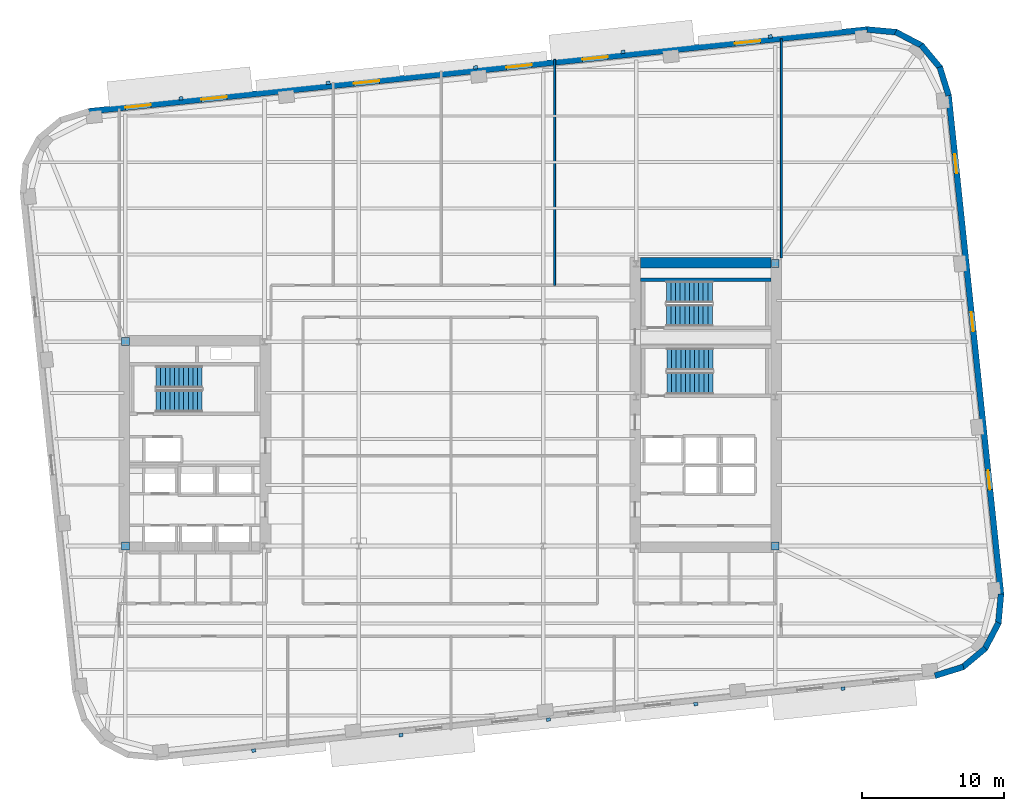
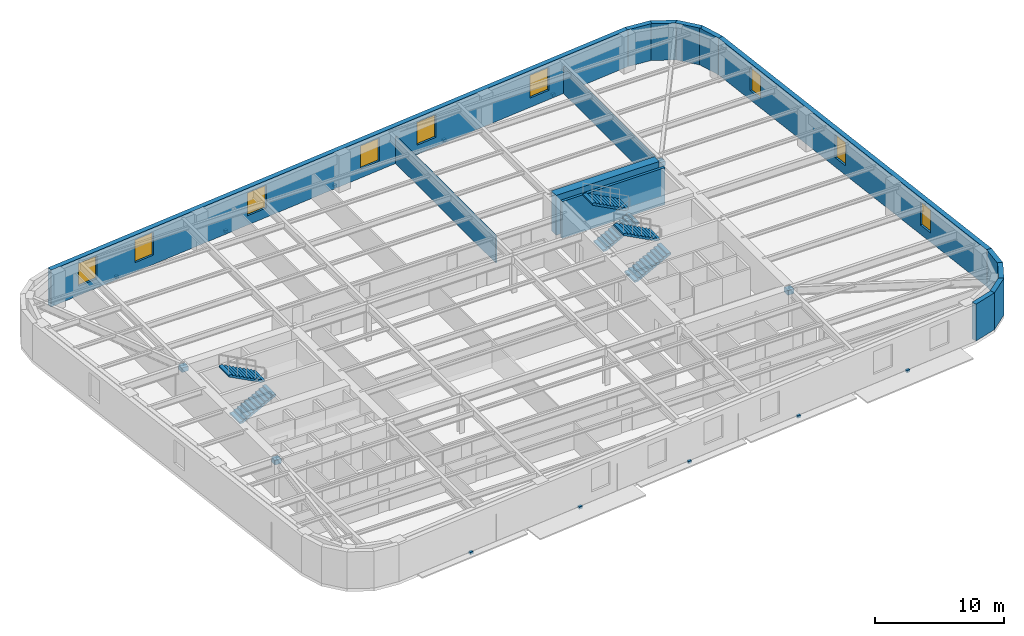
# One storey, part 7 of 11: 14 discrete accessories, 14 walls, 9 windows, 6 stair flights, 9 openings, 3 elements without a shape of their own.
"""IFC4 building model written with IfcOpenShell, lengths in metres."""

import ifcopenshell
import ifcopenshell.guid

model = None  # the IFC model being written
_history = None  # IfcOwnerHistory: only IFC2X3 demands one
_inside = {}  # id of a spatial element -> (the spatial element, [elements in it])
_under = {}  # id of a project, library or spatial element -> (it, [spatial elements below it])
_declared = {}  # id of a project -> (the project, [libraries it declares])
_typed = {}  # id of a type object -> (the type object, [elements of that type])
_made_of = {}  # id of a material, layer set ... -> (it, [elements and type objects made of it])


def new_model(schema):
    """Start an empty IFC model of exactly this schema.

    Asked for "IFC4X3", IfcOpenShell would pick the latest addendum, in which some entities
    have other attributes; the version numbers below select the first issue.
    IFC2X3 requires an IfcOwnerHistory on every rooted entity: one is made here for all.
    """
    global model, _history
    if schema == "IFC4X3":
        model = ifcopenshell.file(schema_version=(4, 3, 0, 0))
    else:
        model = ifcopenshell.file(schema=schema)
    _inside.clear()
    _under.clear()
    _declared.clear()
    _typed.clear()
    _made_of.clear()
    _history = None
    if model.schema == "IFC2X3":
        org = make("IfcOrganization", Name="unknown")
        user = make(
            "IfcPersonAndOrganization",
            ThePerson=make("IfcPerson", FamilyName="unknown"),
            TheOrganization=org,
        )
        app = make(
            "IfcApplication",
            ApplicationDeveloper=org,
            Version="unknown",
            ApplicationFullName="unknown",
            ApplicationIdentifier="unknown",
        )
        _history = make(
            "IfcOwnerHistory",
            OwningUser=user,
            OwningApplication=app,
            ChangeAction="ADDED",
            CreationDate=0,
        )
    return model


def make(cls, **values):
    """One entity of the class cls with the attributes given. An attribute that is None is left unset."""
    return model.create_entity(
        cls, **{name: value for name, value in values.items() if value is not None}
    )


def rooted(cls, **values):
    """An entity with a GlobalId (a new one), such as an element, a storey or a relation."""
    return make(cls, GlobalId=ifcopenshell.guid.new(), OwnerHistory=_history, **values)


def si_unit(unit_type, name, prefix=None):
    """IfcSIUnit, for example si_unit("LENGTHUNIT", "METRE", prefix="MILLI")."""
    return make("IfcSIUnit", UnitType=unit_type, Prefix=prefix, Name=name)


def assignment(units):
    """IfcUnitAssignment: the units of a project."""
    return None if units is None else make("IfcUnitAssignment", Units=units)


def point(xyz):
    """IfcCartesianPoint."""
    return None if xyz is None else make("IfcCartesianPoint", Coordinates=xyz)


def direction(xyz):
    """IfcDirection."""
    return None if xyz is None else make("IfcDirection", DirectionRatios=xyz)


def frame(location, z_axis=None, x_axis=None):
    """IfcAxis2Placement3D, a coordinate frame: its origin and axes. An axis left out is left unset."""
    return make(
        "IfcAxis2Placement3D",
        Location=point(location),
        Axis=direction(z_axis),
        RefDirection=direction(x_axis),
    )


def frame_2d(location, x_axis=None):
    """IfcAxis2Placement2D, a coordinate frame in the plane: its origin and x axis."""
    return make(
        "IfcAxis2Placement2D", Location=point(location), RefDirection=direction(x_axis)
    )


def origin():
    """The frame at (0, 0, 0) with its axes left unset."""
    return frame((0.0, 0.0, 0.0))


def origin_2d():
    """The frame at (0, 0) in the plane with its x axis left unset."""
    return frame_2d((0.0, 0.0))


def place(relative_to, where):
    """IfcLocalPlacement: puts the frame where relative to a parent placement (None: the world)."""
    return make(
        "IfcLocalPlacement", PlacementRelTo=relative_to, RelativePlacement=where
    )


def context(
    kind, dimensions, precision=None, world=None, true_north=None, identifier=None
):
    """IfcGeometricRepresentationContext, for example the 3D "Model" context."""
    return make(
        "IfcGeometricRepresentationContext",
        ContextIdentifier=identifier,
        ContextType=kind,
        CoordinateSpaceDimension=dimensions,
        Precision=precision,
        WorldCoordinateSystem=world,
        TrueNorth=true_north,
    )


def subcontext(parent, identifier, kind, view, scale=None):
    """IfcGeometricRepresentationSubContext, for example "Body" below "Model"."""
    return make(
        "IfcGeometricRepresentationSubContext",
        ContextIdentifier=identifier,
        ContextType=kind,
        ParentContext=parent,
        TargetScale=scale,
        TargetView=view,
    )


def project(units=None, contexts=None):
    """IfcProject with its units and contexts."""
    return rooted(
        "IfcProject",
        Name="project",
        RepresentationContexts=contexts,
        UnitsInContext=assignment(units),
    )


def spatial(cls, under=None, at=None, **own):
    """A site, building, storey or space (cls), placed at a placement, below another one or the project."""
    s = rooted(cls, ObjectPlacement=at, **own)
    if under is not None:
        _under.setdefault(under.id(), (under, []))[1].append(s)
    return s


def polyline(points):
    """IfcPolyline through the points."""
    return make("IfcPolyline", Points=[point(p) for p in points])


def profile(cls, at=None, kind="AREA", **sizes):
    """A parametric profile (cls). Its sizes go by their IFC names, for example OverallWidth=200.0."""
    return make(cls, ProfileType=kind, Position=at, **sizes)


def rectangle(**sizes):
    """IfcRectangleProfileDef."""
    return profile("IfcRectangleProfileDef", **sizes)


def outline(outer, holes=None, kind="AREA"):
    """IfcArbitraryClosedProfileDef: a profile drawn as a closed curve; with holes, ...WithVoids."""
    if holes is None:
        return make("IfcArbitraryClosedProfileDef", ProfileType=kind, OuterCurve=outer)
    return make(
        "IfcArbitraryProfileDefWithVoids",
        ProfileType=kind,
        OuterCurve=outer,
        InnerCurves=holes,
    )


def extrude(swept, where, along, depth):
    """IfcExtrudedAreaSolid: the profile swept, set in the frame where, extruded along a direction by depth."""
    return make(
        "IfcExtrudedAreaSolid",
        SweptArea=swept,
        Position=where,
        ExtrudedDirection=direction(along),
        Depth=depth,
    )


def shape(context_of_items, identifier, shape_type, items):
    """IfcShapeRepresentation: the items that make up one representation, for example the "Body"."""
    return make(
        "IfcShapeRepresentation",
        ContextOfItems=context_of_items,
        RepresentationIdentifier=identifier,
        RepresentationType=shape_type,
        Items=items,
    )


def material(Name=None, Category=None):
    """IfcMaterial."""
    return make("IfcMaterial", Name=Name, Category=Category)


def layer(
    of_material, thickness, ventilated=None, Name=None, Category=None, Priority=None
):
    """IfcMaterialLayer: one layer of a wall or slab, of a material (None: an air gap)."""
    return make(
        "IfcMaterialLayer",
        Material=of_material,
        LayerThickness=thickness,
        IsVentilated=ventilated,
        Name=Name,
        Category=Category,
        Priority=Priority,
    )


def layer_set(layers, Name=None):
    """IfcMaterialLayerSet."""
    return make("IfcMaterialLayerSet", MaterialLayers=layers, LayerSetName=Name)


def made_of(thing, what):
    """Note that an element or type object is made of a material, layer set ...; save() writes the relation."""
    if what is not None:
        _made_of.setdefault(what.id(), (what, []))[1].append(thing)
    return thing


def type_object(cls, material=None, **own):
    """A type object (cls), such as IfcWallType, which elements share."""
    return made_of(rooted(cls, **own), material)


def element(
    cls,
    number,
    at=None,
    inside=None,
    cuts=None,
    type_object=None,
    material=None,
    context=None,
    identifier="Body",
    shape_type=None,
    held_by="IfcProductDefinitionShape",
    body=None,
    shapes=None,
    **own,
):
    """One element of the class cls, such as IfcWall. Its Tag is "e" and its number.

    at: its placement. inside: the storey or other place that contains it. cuts: it is an
    opening in that element (IfcRelVoidsElement). A single representation is given by context,
    identifier, shape_type and body (its items); several are given by shapes. held_by: the class
    of the entity that holds the representations. save() writes the other relations.
    """
    e = rooted(cls, Tag="e%d" % number, ObjectPlacement=at, **own)
    if body is not None:
        shapes = [shape(context, identifier, shape_type, body)]
    if shapes is not None:
        e.Representation = make(held_by, Representations=shapes)
    if inside is not None:
        _inside.setdefault(inside.id(), (inside, []))[1].append(e)
    if cuts is not None:
        rooted(
            "IfcRelVoidsElement", RelatingBuildingElement=cuts, RelatedOpeningElement=e
        )
    if type_object is not None:
        _typed.setdefault(type_object.id(), (type_object, []))[1].append(e)
    return made_of(e, material)


def fill(opening, filler):
    """IfcRelFillsElement: the door or window that sits in an opening."""
    return rooted(
        "IfcRelFillsElement",
        RelatingOpeningElement=opening,
        RelatedBuildingElement=filler,
    )


def aggregate(whole, parts):
    """IfcRelAggregates: a whole, such as a stair, and the parts it consists of."""
    return rooted("IfcRelAggregates", RelatingObject=whole, RelatedObjects=parts)


def save(model, path):
    """Write the relations noted so far, then the file.

    IfcRelAggregates (storeys below a building ...), IfcRelContainedInSpatialStructure (elements
    in a storey), IfcRelDefinesByType, IfcRelAssociatesMaterial and IfcRelDeclares: one each for
    every whole, place, type object, material and project.
    """
    for whole, parts in _under.values():
        aggregate(whole, parts)
    for where, things in _inside.values():
        rooted(
            "IfcRelContainedInSpatialStructure",
            RelatedElements=things,
            RelatingStructure=where,
        )
    for kind, things in _typed.values():
        rooted("IfcRelDefinesByType", RelatedObjects=things, RelatingType=kind)
    for what, things in _made_of.values():
        rooted("IfcRelAssociatesMaterial", RelatedObjects=things, RelatingMaterial=what)
    for by, libraries in _declared.values():
        rooted("IfcRelDeclares", RelatingContext=by, RelatedDefinitions=libraries)
    model.write(path)


model = new_model("IFC4")

# Units and contexts
model_context = context("Model", 3, precision=1e-05, world=origin(), true_north=direction((0.0, 1.0)))
body_context = subcontext(model_context, "Body", "Model", "MODEL_VIEW")
ifc_project = project(units=[si_unit("LENGTHUNIT", "METRE"), si_unit("AREAUNIT", "SQUARE_METRE"), si_unit("VOLUMEUNIT", "CUBIC_METRE"), si_unit("PLANEANGLEUNIT", "RADIAN"), si_unit("MASSUNIT", "GRAM", prefix="KILO")], contexts=[model_context])

# Site, building, storey
site_placement = place(None, origin())
site = spatial("IfcSite", under=ifc_project, at=site_placement, CompositionType="ELEMENT")
building_placement = place(site_placement, origin())
building = spatial("IfcBuilding", under=site, at=building_placement, Name="Kolvaren Arena Tower", CompositionType="ELEMENT")
storey_placement = place(building_placement, frame((0.0, 0.0, 134.5)))
storey = spatial("IfcBuildingStorey", under=building, at=storey_placement, Name="L31", CompositionType="ELEMENT", Elevation=134.5)

# Walls
ifc_material_1 = material(Name="Concrete 70 MPa", Category="concrete")
ifc_layer_1 = layer(ifc_material_1, 0.75)
ifc_layer_set_1 = layer_set([ifc_layer_1], Name="Concrete 70 MPa")
wall_type_1 = type_object("IfcWallType", Name="CWALL-750", PredefinedType="SHEAR", material=ifc_layer_set_1)
wall_1_placement = place(storey_placement, frame((50.85009765625, 39.425048828125, -0.27001953125), z_axis=(0.0, 0.0, 1.0), x_axis=(1.0, 0.0, 0.0)))
element("IfcWall", 1, at=wall_1_placement, inside=storey, type_object=wall_type_1, Name="Core Shear Wall EC-NORTH (L31)", PredefinedType="SHEAR", context=body_context, shape_type="SweptSolid", body=[
    extrude(rectangle(XDim=9.199951171875, YDim=0.75, at=frame_2d((4.60009765625, 0.0))), origin(), (0.0, 0.0, 1.0), 3.75),
])
ifc_material_2 = material(Name="Precast concrete C50/60", Category="concrete")
ifc_layer_2 = layer(ifc_material_2, 0.419921875)
ifc_layer_set_2 = layer_set([ifc_layer_2], Name="Precast concrete C50/60")
wall_type_2 = type_object("IfcWallType", Name="EXT-PIER1", PredefinedType="SOLIDWALL", material=ifc_layer_set_2)
for number, where, z_axis, x_axis, name in (
    (2, (73.61328125, 10.93701171875, 0.0), (0.0, 0.0, 1.0), (-0.954993985335, -0.296625164093, 0.0), "Exterior Precast Masonry-Frame Wall (L31)"),
    (3, (75.1611328125, 12.2451171875, 0.0), (0.0, 0.0, 1.0), (-0.768800317178, -0.639488914921, 0.0), "Exterior Precast Masonry-Frame Wall (L31)"),
):
    element("IfcWall", number, at=place(storey_placement, frame(where, z_axis=z_axis, x_axis=x_axis)), inside=storey, type_object=wall_type_2, Name=name, PredefinedType="SOLIDWALL", context=body_context, shape_type="SweptSolid", body=[
        extrude(rectangle(XDim=2.10693359375, YDim=0.419921875, at=frame_2d((1.053466796875, 0.0))), origin(), (0.0, 0.0, 1.0), 3.47998046875),
    ])
wall_2_placement = place(storey_placement, frame((76.0908203125, 14.046142578125, 0.0), z_axis=(0.0, 0.0, 1.0), x_axis=(-0.465655699908, -0.884965970613, 0.0)))
element("IfcWall", 4, at=wall_2_placement, inside=storey, type_object=wall_type_2, Name="Exterior Precast Masonry-Frame Wall (L31)", PredefinedType="SOLIDWALL", context=body_context, shape_type="SweptSolid", body=[
    extrude(rectangle(XDim=2.107177734375, YDim=0.419921875, at=frame_2d((1.0537109375, 0.0))), origin(), (0.0, 0.0, 1.0), 3.47998046875),
])
wall_3_placement = place(storey_placement, frame((76.26025390625, 16.065673828125, 0.0), z_axis=(0.0, 0.0, 1.0), x_axis=(-0.091538655308, -0.995801523691, 0.0)))
element("IfcWall", 5, at=wall_3_placement, inside=storey, type_object=wall_type_2, Name="Exterior Precast Masonry-Frame Wall (L31)", PredefinedType="SOLIDWALL", context=body_context, shape_type="SweptSolid", body=[
    extrude(rectangle(XDim=2.10693359375, YDim=0.419921875, at=frame_2d((1.053466796875, 0.0))), origin(), (0.0, 0.0, 1.0), 3.47998046875),
])

# Wall, openings, windows
wall_4_placement = place(storey_placement, frame((72.560302734375, 51.23046875, 0.0), z_axis=(0.0, 0.0, 1.0), x_axis=(0.1045253859, -0.994522218808, 0.0)))
wall_4 = element("IfcWall", 6, at=wall_4_placement, inside=storey, type_object=wall_type_2, Name="Exterior Precast Masonry-Frame Wall (L31)", PredefinedType="SOLIDWALL", context=body_context, shape_type="SweptSolid", body=[
    extrude(rectangle(XDim=35.39990234375, YDim=0.419921875, at=frame_2d((17.699951171875, 0.0))), origin(), (0.0, 0.0, 1.0), 3.47998046875),
])
opening_1_placement = place(wall_4_placement, frame((4.199951171875, 0.0, 0.8798828125)))
opening_1 = element("IfcOpeningElement", 7, at=opening_1_placement, cuts=wall_4, Name="Opening W04", PredefinedType="OPENING", context=body_context, shape_type="SweptSolid", body=[
    extrude(rectangle(XDim=1.35009765625, YDim=2.199951171875, at=frame_2d((0.675048828125, 1.10009765625))), frame((0.0, 0.219970703125, 0.0), z_axis=(0.0, -1.0, 0.0), x_axis=(1.0, 0.0, 0.0)), (0.0, 0.0, 1.0), 0.43994140625),
])
opening_2_placement = place(wall_4_placement, frame((15.39990234375, 0.0, 0.8798828125)))
opening_2 = element("IfcOpeningElement", 8, at=opening_2_placement, cuts=wall_4, Name="Opening W04", PredefinedType="OPENING", context=body_context, shape_type="SweptSolid", body=[
    extrude(rectangle(XDim=1.35009765625, YDim=2.199951171875, at=frame_2d((0.675048828125, 1.10009765625))), frame((0.0, 0.219970703125, 0.0), z_axis=(0.0, -1.0, 0.0), x_axis=(1.0, 0.0, 0.0)), (0.0, 0.0, 1.0), 0.43994140625),
])
opening_3_placement = place(wall_4_placement, frame((26.60009765625, 0.0, 0.8798828125)))
opening_3 = element("IfcOpeningElement", 9, at=opening_3_placement, cuts=wall_4, Name="Opening W04", PredefinedType="OPENING", context=body_context, shape_type="SweptSolid", body=[
    extrude(rectangle(XDim=1.35009765625, YDim=2.199951171875, at=frame_2d((0.675048828125, 1.10009765625))), frame((0.0, 0.219970703125, 0.0), z_axis=(0.0, -1.0, 0.0), x_axis=(1.0, 0.0, 0.0)), (0.0, 0.0, 1.0), 0.43994140625),
])
ifc_material_3 = material(Name="Triple-glazed curved-facet corner window", Category="glass")
window_type_1 = type_object("IfcWindowType", Name="WIN-CRN-A", PartitioningType="SINGLE_PANEL", PredefinedType="WINDOW", material=ifc_material_3)
window_1_placement = place(opening_1_placement, origin())
window_1 = element("IfcWindow", 10, at=window_1_placement, inside=storey, type_object=window_type_1, Name="End-Wall Punched Window (L31)", OverallHeight=2.199951171875, OverallWidth=1.35009765625, PartitioningType="SINGLE_PANEL", PredefinedType="WINDOW", context=body_context, shape_type="SweptSolid", body=[
    extrude(rectangle(XDim=1.35009765625, YDim=2.199951171875, at=frame_2d((0.675048828125, 1.10009765625))), frame((0.0, 0.030029296875, 0.0), z_axis=(0.0, -1.0, 0.0), x_axis=(1.0, 0.0, 0.0)), (0.0, 0.0, 1.0), 0.06005859375),
])
fill(opening_1, window_1)
window_2_placement = place(opening_2_placement, origin())
window_2 = element("IfcWindow", 11, at=window_2_placement, inside=storey, type_object=window_type_1, Name="End-Wall Punched Window (L31)", OverallHeight=2.199951171875, OverallWidth=1.35009765625, PartitioningType="SINGLE_PANEL", PredefinedType="WINDOW", context=body_context, shape_type="SweptSolid", body=[
    extrude(rectangle(XDim=1.35009765625, YDim=2.199951171875, at=frame_2d((0.675048828125, 1.10009765625))), frame((0.0, 0.030029296875, 0.0), z_axis=(0.0, -1.0, 0.0), x_axis=(1.0, 0.0, 0.0)), (0.0, 0.0, 1.0), 0.06005859375),
])
fill(opening_2, window_2)
window_3_placement = place(opening_3_placement, origin())
window_3 = element("IfcWindow", 12, at=window_3_placement, inside=storey, type_object=window_type_1, Name="End-Wall Punched Window (L31)", OverallHeight=2.199951171875, OverallWidth=1.35009765625, PartitioningType="SINGLE_PANEL", PredefinedType="WINDOW", context=body_context, shape_type="SweptSolid", body=[
    extrude(rectangle(XDim=1.35009765625, YDim=2.199951171875, at=frame_2d((0.675048828125, 1.10009765625))), frame((0.0, 0.030029296875, 0.0), z_axis=(0.0, -1.0, 0.0), x_axis=(1.0, 0.0, 0.0)), (0.0, 0.0, 1.0), 0.06005859375),
])
fill(opening_3, window_3)

# Walls
for number, where, z_axis, x_axis, name in (
    (13, (71.943603515625, 53.202392578125, 0.0), (0.0, 0.0, 1.0), (0.296625164093, -0.954993985335, 0.0), "Exterior Precast Masonry-Frame Wall (L31)"),
    (14, (70.635498046875, 54.750244140625, 0.0), (0.0, 0.0, 1.0), (0.639488914921, -0.768800317178, 0.0), "Exterior Precast Masonry-Frame Wall (L31)"),
    (15, (68.83447265625, 55.6796875, 0.0), (0.0, 0.0, 1.0), (0.885013714693, -0.465564952296, 0.0), "Exterior Precast Masonry-Frame Wall (L31)"),
    (16, (66.81494140625, 55.849365234375, 0.0), (0.0, 0.0, 1.0), (0.995801523691, -0.091538655308, 0.0), "Exterior Precast Masonry-Frame Wall (L31)"),
):
    element("IfcWall", number, at=place(storey_placement, frame(where, z_axis=z_axis, x_axis=x_axis)), inside=storey, type_object=wall_type_2, Name=name, PredefinedType="SOLIDWALL", context=body_context, shape_type="SweptSolid", body=[
        extrude(rectangle(XDim=2.10693359375, YDim=0.419921875, at=frame_2d((1.053466796875, 0.0))), origin(), (0.0, 0.0, 1.0), 3.47998046875),
    ])

# Wall, openings, windows
wall_5_placement = place(storey_placement, frame((11.95849609375, 50.07958984375, 0.0), z_axis=(0.0, 0.0, 1.0), x_axis=(0.994521823388, 0.104529148113, 0.0)))
wall_5 = element("IfcWall", 17, at=wall_5_placement, inside=storey, type_object=wall_type_2, Name="Exterior Precast Masonry-Frame Wall (L31)", PredefinedType="SOLIDWALL", context=body_context, shape_type="SweptSolid", body=[
    extrude(rectangle(XDim=55.2001953125, YDim=0.419921875, at=frame_2d((27.60009765625, 0.0))), origin(), (0.0, 0.0, 1.0), 3.47998046875),
])
opening_4_placement = place(wall_5_placement, frame((2.60009765625, 0.0, 0.8798828125)))
opening_4 = element("IfcOpeningElement", 18, at=opening_4_placement, cuts=wall_5, Name="Opening W02", PredefinedType="OPENING", context=body_context, shape_type="SweptSolid", body=[
    extrude(rectangle(XDim=1.800048828125, YDim=2.14990234375, at=frame_2d((0.89990234375, 1.074951171875))), frame((0.0, 0.219970703125, 0.0), z_axis=(0.0, -1.0, 0.0), x_axis=(1.0, 0.0, 0.0)), (0.0, 0.0, 1.0), 0.43994140625),
])
opening_5_placement = place(wall_5_placement, frame((8.0, 0.0, 0.8798828125)))
opening_5 = element("IfcOpeningElement", 19, at=opening_5_placement, cuts=wall_5, Name="Opening W02", PredefinedType="OPENING", context=body_context, shape_type="SweptSolid", body=[
    extrude(rectangle(XDim=1.800048828125, YDim=2.14990234375, at=frame_2d((0.89990234375, 1.074951171875))), frame((0.0, 0.219970703125, 0.0), z_axis=(0.0, -1.0, 0.0), x_axis=(1.0, 0.0, 0.0)), (0.0, 0.0, 1.0), 0.43994140625),
])
opening_6_placement = place(wall_5_placement, frame((18.800048828125, 0.0, 0.8798828125)))
opening_6 = element("IfcOpeningElement", 20, at=opening_6_placement, cuts=wall_5, Name="Opening W02", PredefinedType="OPENING", context=body_context, shape_type="SweptSolid", body=[
    extrude(rectangle(XDim=1.800048828125, YDim=2.14990234375, at=frame_2d((0.89990234375, 1.074951171875))), frame((0.0, 0.219970703125, 0.0), z_axis=(0.0, -1.0, 0.0), x_axis=(1.0, 0.0, 0.0)), (0.0, 0.0, 1.0), 0.43994140625),
])
opening_7_placement = place(wall_5_placement, frame((29.60009765625, 0.0, 0.8798828125)))
opening_7 = element("IfcOpeningElement", 21, at=opening_7_placement, cuts=wall_5, Name="Opening W02", PredefinedType="OPENING", context=body_context, shape_type="SweptSolid", body=[
    extrude(rectangle(XDim=1.800048828125, YDim=2.14990234375, at=frame_2d((0.89990234375, 1.074951171875))), frame((0.0, 0.219970703125, 0.0), z_axis=(0.0, -1.0, 0.0), x_axis=(1.0, 0.0, 0.0)), (0.0, 0.0, 1.0), 0.43994140625),
])
opening_8_placement = place(wall_5_placement, frame((35.0, 0.0, 0.8798828125)))
opening_8 = element("IfcOpeningElement", 22, at=opening_8_placement, cuts=wall_5, Name="Opening W02", PredefinedType="OPENING", context=body_context, shape_type="SweptSolid", body=[
    extrude(rectangle(XDim=1.800048828125, YDim=2.14990234375, at=frame_2d((0.89990234375, 1.074951171875))), frame((0.0, 0.219970703125, 0.0), z_axis=(0.0, -1.0, 0.0), x_axis=(1.0, 0.0, 0.0)), (0.0, 0.0, 1.0), 0.43994140625),
])
opening_9_placement = place(wall_5_placement, frame((45.800048828125, 0.0, 0.8798828125)))
opening_9 = element("IfcOpeningElement", 23, at=opening_9_placement, cuts=wall_5, Name="Opening W02", PredefinedType="OPENING", context=body_context, shape_type="SweptSolid", body=[
    extrude(rectangle(XDim=1.800048828125, YDim=2.14990234375, at=frame_2d((0.89990234375, 1.074951171875))), frame((0.0, 0.219970703125, 0.0), z_axis=(0.0, -1.0, 0.0), x_axis=(1.0, 0.0, 0.0)), (0.0, 0.0, 1.0), 0.43994140625),
])
ifc_material_4 = material(Name="Triple-glazed low-E aluminium window", Category="aluminium")
window_type_2 = type_object("IfcWindowType", Name="WIN-OFF-B", PartitioningType="DOUBLE_PANEL_VERTICAL", PredefinedType="WINDOW", material=ifc_material_4)
window_4_placement = place(opening_4_placement, origin())
window_4 = element("IfcWindow", 24, at=window_4_placement, inside=storey, type_object=window_type_2, Name="Punched Precast-Pier Window (L31)", OverallHeight=2.14990234375, OverallWidth=1.800048828125, PartitioningType="DOUBLE_PANEL_VERTICAL", PredefinedType="WINDOW", context=body_context, shape_type="SweptSolid", body=[
    extrude(rectangle(XDim=1.800048828125, YDim=2.14990234375, at=frame_2d((0.89990234375, 1.074951171875))), frame((0.0, 0.030029296875, 0.0), z_axis=(0.0, -1.0, 0.0), x_axis=(1.0, 0.0, 0.0)), (0.0, 0.0, 1.0), 0.06005859375),
])
fill(opening_4, window_4)
window_5_placement = place(opening_5_placement, origin())
window_5 = element("IfcWindow", 25, at=window_5_placement, inside=storey, type_object=window_type_2, Name="Punched Precast-Pier Window (L31)", OverallHeight=2.14990234375, OverallWidth=1.800048828125, PartitioningType="DOUBLE_PANEL_VERTICAL", PredefinedType="WINDOW", context=body_context, shape_type="SweptSolid", body=[
    extrude(rectangle(XDim=1.800048828125, YDim=2.14990234375, at=frame_2d((0.89990234375, 1.074951171875))), frame((0.0, 0.030029296875, 0.0), z_axis=(0.0, -1.0, 0.0), x_axis=(1.0, 0.0, 0.0)), (0.0, 0.0, 1.0), 0.06005859375),
])
fill(opening_5, window_5)
window_6_placement = place(opening_6_placement, origin())
window_6 = element("IfcWindow", 26, at=window_6_placement, inside=storey, type_object=window_type_2, Name="Punched Precast-Pier Window (L31)", OverallHeight=2.14990234375, OverallWidth=1.800048828125, PartitioningType="DOUBLE_PANEL_VERTICAL", PredefinedType="WINDOW", context=body_context, shape_type="SweptSolid", body=[
    extrude(rectangle(XDim=1.800048828125, YDim=2.14990234375, at=frame_2d((0.89990234375, 1.074951171875))), frame((0.0, 0.030029296875, 0.0), z_axis=(0.0, -1.0, 0.0), x_axis=(1.0, 0.0, 0.0)), (0.0, 0.0, 1.0), 0.06005859375),
])
fill(opening_6, window_6)
window_7_placement = place(opening_7_placement, origin())
window_7 = element("IfcWindow", 27, at=window_7_placement, inside=storey, type_object=window_type_2, Name="Punched Precast-Pier Window (L31)", OverallHeight=2.14990234375, OverallWidth=1.800048828125, PartitioningType="DOUBLE_PANEL_VERTICAL", PredefinedType="WINDOW", context=body_context, shape_type="SweptSolid", body=[
    extrude(rectangle(XDim=1.800048828125, YDim=2.14990234375, at=frame_2d((0.89990234375, 1.074951171875))), frame((0.0, 0.030029296875, 0.0), z_axis=(0.0, -1.0, 0.0), x_axis=(1.0, 0.0, 0.0)), (0.0, 0.0, 1.0), 0.06005859375),
])
fill(opening_7, window_7)
window_8_placement = place(opening_8_placement, origin())
window_8 = element("IfcWindow", 28, at=window_8_placement, inside=storey, type_object=window_type_2, Name="Punched Precast-Pier Window (L31)", OverallHeight=2.14990234375, OverallWidth=1.800048828125, PartitioningType="DOUBLE_PANEL_VERTICAL", PredefinedType="WINDOW", context=body_context, shape_type="SweptSolid", body=[
    extrude(rectangle(XDim=1.800048828125, YDim=2.14990234375, at=frame_2d((0.89990234375, 1.074951171875))), frame((0.0, 0.030029296875, 0.0), z_axis=(0.0, -1.0, 0.0), x_axis=(1.0, 0.0, 0.0)), (0.0, 0.0, 1.0), 0.06005859375),
])
fill(opening_8, window_8)
window_9_placement = place(opening_9_placement, origin())
window_9 = element("IfcWindow", 29, at=window_9_placement, inside=storey, type_object=window_type_2, Name="Punched Precast-Pier Window (L31)", OverallHeight=2.14990234375, OverallWidth=1.800048828125, PartitioningType="DOUBLE_PANEL_VERTICAL", PredefinedType="WINDOW", context=body_context, shape_type="SweptSolid", body=[
    extrude(rectangle(XDim=1.800048828125, YDim=2.14990234375, at=frame_2d((0.89990234375, 1.074951171875))), frame((0.0, 0.030029296875, 0.0), z_axis=(0.0, -1.0, 0.0), x_axis=(1.0, 0.0, 0.0)), (0.0, 0.0, 1.0), 0.06005859375),
])
fill(opening_9, window_9)

# Walls
ifc_material_5 = material(Name="Gypsum board partition assembly", Category="gypsum")
ifc_layer_3 = layer(ifc_material_5, 0.135009765625)
ifc_layer_set_3 = layer_set([ifc_layer_3], Name="Gypsum board partition assembly")
wall_type_3 = type_object("IfcWallType", Name="PART-135", PredefinedType="PARTITIONING", material=ifc_layer_set_3)
wall_6_placement = place(storey_placement, frame((44.800048828125, 37.820068359375, 0.0), z_axis=(0.0, 0.0, 1.0), x_axis=(0.0, 1.0, 0.0)))
element("IfcWall", 30, at=wall_6_placement, inside=storey, type_object=wall_type_3, Name="Interior Partition Wall (L31)", PredefinedType="PARTITIONING", context=body_context, shape_type="SweptSolid", body=[
    extrude(rectangle(XDim=15.92236328125, YDim=0.135009765625, at=frame_2d((7.961181640625, 0.0))), origin(), (0.0, 0.0, 1.0), 2.5400390625),
])
wall_7_placement = place(storey_placement, frame((60.780029296875, 39.75, 0.0), z_axis=(0.0, 0.0, 1.0), x_axis=(0.0, 1.0, 0.0)))
element("IfcWall", 31, at=wall_7_placement, inside=storey, type_object=wall_type_3, Name="Interior Partition Wall (L31)", PredefinedType="PARTITIONING", context=body_context, shape_type="SweptSolid", body=[
    extrude(rectangle(XDim=15.430908203125, YDim=0.135009765625, at=frame_2d((7.71533203125, 0.0))), origin(), (0.0, 0.0, 1.0), 2.5400390625),
])
ifc_material_6 = material(Name="Concrete 45 MPa", Category="concrete")
ifc_layer_4 = layer(ifc_material_6, 0.25)
ifc_layer_set_4 = layer_set([ifc_layer_4], Name="Concrete 45 MPa")
wall_type_4 = type_object("IfcWallType", Name="SHAFT-250", PredefinedType="SOLIDWALL", material=ifc_layer_set_4)
wall_8_placement = place(storey_placement, frame((50.85009765625, 38.219970703125, 0.0), z_axis=(0.0, 0.0, 1.0), x_axis=(1.0, 0.0, 0.0)))
element("IfcWall", 32, at=wall_8_placement, inside=storey, type_object=wall_type_4, Name="Core Shaft Wall (L31)", PredefinedType="SOLIDWALL", context=body_context, shape_type="SweptSolid", body=[
    extrude(rectangle(XDim=9.199951171875, YDim=0.239990234375, at=frame_2d((4.60009765625, 0.0))), origin(), (0.0, 0.0, 1.0), 3.47998046875),
])

# Stair, stair flights
stair_type_1 = type_object("IfcStairType", Name="STAIR-CORE-150", PredefinedType="HALF_TURN_STAIR", material=ifc_material_6)
stair_1_placement = place(storey_placement, origin())
stair_1 = element("IfcStair", 33, at=stair_1_placement, inside=storey, type_object=stair_type_1, Name="L31 ST-E2", PredefinedType="HALF_TURN_STAIR")
stair_flight_type_1 = type_object("IfcStairFlightType", Name="FLT-150", PredefinedType="STRAIGHT", material=ifc_material_6)
stair_flight_1_placement = place(storey_placement, frame((52.679931640625, 35.699951171875, 0.0), z_axis=(0.0, 0.0, 1.0), x_axis=(1.0, 0.0, 0.0)))
stair_flight_1 = element("IfcStairFlight", 34, at=stair_flight_1_placement, type_object=stair_flight_type_1, Name="ST-E2 flight 1", NumberOfRisers=11, NumberOfTreads=10, PredefinedType="STRAIGHT", RiserHeight=0.170454545, TreadLength=0.324, context=body_context, shape_type="SweptSolid", body=[
    extrude(outline(polyline([(0.0, 0.0), (0.0, 0.17041015625), (0.323974609375, 0.17041015625), (0.323974609375, 0.3408203125), (0.64794921875, 0.3408203125), (0.64794921875, 0.511474609375), (0.971923828125, 0.511474609375), (0.971923828125, 0.681884765625), (1.2958984375, 0.681884765625), (1.2958984375, 0.852294921875), (1.6201171875, 0.852294921875), (1.6201171875, 1.022705078125), (1.944091796875, 1.022705078125), (1.944091796875, 1.193115234375), (2.26806640625, 1.193115234375), (2.26806640625, 1.363525390625), (2.592041015625, 1.363525390625), (2.592041015625, 1.5341796875), (2.916015625, 1.5341796875), (2.916015625, 1.70458984375), (3.239990234375, 1.70458984375), (3.239990234375, 1.875), (3.239990234375, 1.53515625), (0.322021484375, 0.0), (0.0, 0.0)])), frame((0.0, 0.75, 0.0), z_axis=(0.0, -1.0, 0.0), x_axis=(1.0, 0.0, 0.0)), (0.0, 0.0, 1.0), 1.5),
])
stair_flight_2_placement = place(storey_placement, frame((55.919921875, 37.35009765625, 1.875), z_axis=(0.0, 0.0, 1.0), x_axis=(-1.0, 0.0, 0.0)))
stair_flight_2 = element("IfcStairFlight", 35, at=stair_flight_2_placement, type_object=stair_flight_type_1, Name="ST-E2 flight 2", NumberOfRisers=11, NumberOfTreads=10, PredefinedType="STRAIGHT", RiserHeight=0.170454545, TreadLength=0.324, context=body_context, shape_type="SweptSolid", body=[
    extrude(outline(polyline([(0.0, 0.0), (0.0, 0.17041015625), (0.323974609375, 0.17041015625), (0.323974609375, 0.3408203125), (0.64794921875, 0.3408203125), (0.64794921875, 0.511474609375), (0.971923828125, 0.511474609375), (0.971923828125, 0.681884765625), (1.2958984375, 0.681884765625), (1.2958984375, 0.852294921875), (1.6201171875, 0.852294921875), (1.6201171875, 1.022705078125), (1.944091796875, 1.022705078125), (1.944091796875, 1.193115234375), (2.26806640625, 1.193115234375), (2.26806640625, 1.363525390625), (2.592041015625, 1.363525390625), (2.592041015625, 1.5341796875), (2.916015625, 1.5341796875), (2.916015625, 1.70458984375), (3.239990234375, 1.70458984375), (3.239990234375, 1.875), (3.239990234375, 1.53515625), (0.322021484375, 0.0), (0.0, 0.0)])), frame((0.0, 0.75, 0.0), z_axis=(0.0, -1.0, 0.0), x_axis=(1.0, 0.0, 0.0)), (0.0, 0.0, 1.0), 1.5),
])
aggregate(stair_1, [stair_flight_1, stair_flight_2])

stair_type_2 = type_object("IfcStairType", Name="STAIR-CORE-165", PredefinedType="HALF_TURN_STAIR", material=ifc_material_6)
stair_2_placement = place(storey_placement, origin())
stair_2 = element("IfcStair", 36, at=stair_2_placement, inside=storey, type_object=stair_type_2, Name="L31 ST-W1", PredefinedType="HALF_TURN_STAIR")
stair_flight_type_2 = type_object("IfcStairFlightType", Name="FLT-165", PredefinedType="STRAIGHT", material=ifc_material_6)
stair_flight_3_placement = place(storey_placement, frame((16.719970703125, 29.669921875, 0.0), z_axis=(0.0, 0.0, 1.0), x_axis=(1.0, 0.0, 0.0)))
stair_flight_3 = element("IfcStairFlight", 37, at=stair_flight_3_placement, type_object=stair_flight_type_2, Name="ST-W1 flight 1", NumberOfRisers=11, NumberOfTreads=10, PredefinedType="STRAIGHT", RiserHeight=0.170454545, TreadLength=0.324, context=body_context, shape_type="SweptSolid", body=[
    extrude(outline(polyline([(0.0, 0.0), (0.0, 0.17041015625), (0.323974609375, 0.17041015625), (0.323974609375, 0.3408203125), (0.64794921875, 0.3408203125), (0.64794921875, 0.511474609375), (0.971923828125, 0.511474609375), (0.971923828125, 0.681884765625), (1.2958984375, 0.681884765625), (1.2958984375, 0.852294921875), (1.6201171875, 0.852294921875), (1.6201171875, 1.022705078125), (1.944091796875, 1.022705078125), (1.944091796875, 1.193115234375), (2.26806640625, 1.193115234375), (2.26806640625, 1.363525390625), (2.592041015625, 1.363525390625), (2.592041015625, 1.5341796875), (2.916015625, 1.5341796875), (2.916015625, 1.70458984375), (3.239990234375, 1.70458984375), (3.239990234375, 1.875), (3.239990234375, 1.53515625), (0.322021484375, 0.0), (0.0, 0.0)])), frame((0.0, 0.77001953125, 0.0), z_axis=(0.0, -1.0, 0.0), x_axis=(1.0, 0.0, 0.0)), (0.0, 0.0, 1.0), 1.5400390625),
])
stair_flight_4_placement = place(storey_placement, frame((19.9599609375, 31.360107421875, 1.875), z_axis=(0.0, 0.0, 1.0), x_axis=(-1.0, 0.0, 0.0)))
stair_flight_4 = element("IfcStairFlight", 38, at=stair_flight_4_placement, type_object=stair_flight_type_2, Name="ST-W1 flight 2", NumberOfRisers=11, NumberOfTreads=10, PredefinedType="STRAIGHT", RiserHeight=0.170454545, TreadLength=0.324, context=body_context, shape_type="SweptSolid", body=[
    extrude(outline(polyline([(0.0, 0.0), (0.0, 0.17041015625), (0.323974609375, 0.17041015625), (0.323974609375, 0.3408203125), (0.64794921875, 0.3408203125), (0.64794921875, 0.511474609375), (0.971923828125, 0.511474609375), (0.971923828125, 0.681884765625), (1.2958984375, 0.681884765625), (1.2958984375, 0.852294921875), (1.6201171875, 0.852294921875), (1.6201171875, 1.022705078125), (1.944091796875, 1.022705078125), (1.944091796875, 1.193115234375), (2.26806640625, 1.193115234375), (2.26806640625, 1.363525390625), (2.592041015625, 1.363525390625), (2.592041015625, 1.5341796875), (2.916015625, 1.5341796875), (2.916015625, 1.70458984375), (3.239990234375, 1.70458984375), (3.239990234375, 1.875), (3.239990234375, 1.53515625), (0.322021484375, 0.0), (0.0, 0.0)])), frame((0.0, 0.77001953125, 0.0), z_axis=(0.0, -1.0, 0.0), x_axis=(1.0, 0.0, 0.0)), (0.0, 0.0, 1.0), 1.5400390625),
])
aggregate(stair_2, [stair_flight_3, stair_flight_4])

stair_3_placement = place(storey_placement, origin())
stair_3 = element("IfcStair", 39, at=stair_3_placement, inside=storey, type_object=stair_type_2, Name="L31 ST-E1", PredefinedType="HALF_TURN_STAIR")
stair_flight_5_placement = place(storey_placement, frame((52.719970703125, 30.919921875, 0.0), z_axis=(0.0, 0.0, 1.0), x_axis=(1.0, 0.0, 0.0)))
stair_flight_5 = element("IfcStairFlight", 40, at=stair_flight_5_placement, type_object=stair_flight_type_2, Name="ST-E1 flight 1", NumberOfRisers=11, NumberOfTreads=10, PredefinedType="STRAIGHT", RiserHeight=0.170454545, TreadLength=0.324, context=body_context, shape_type="SweptSolid", body=[
    extrude(outline(polyline([(0.0, 0.0), (0.0, 0.17041015625), (0.323974609375, 0.17041015625), (0.323974609375, 0.3408203125), (0.64794921875, 0.3408203125), (0.64794921875, 0.511474609375), (0.971923828125, 0.511474609375), (0.971923828125, 0.681884765625), (1.2958984375, 0.681884765625), (1.2958984375, 0.852294921875), (1.6201171875, 0.852294921875), (1.6201171875, 1.022705078125), (1.944091796875, 1.022705078125), (1.944091796875, 1.193115234375), (2.26806640625, 1.193115234375), (2.26806640625, 1.363525390625), (2.592041015625, 1.363525390625), (2.592041015625, 1.5341796875), (2.916015625, 1.5341796875), (2.916015625, 1.70458984375), (3.239990234375, 1.70458984375), (3.239990234375, 1.875), (3.239990234375, 1.53515625), (0.322021484375, 0.0), (0.0, 0.0)])), frame((0.0, 0.77001953125, 0.0), z_axis=(0.0, -1.0, 0.0), x_axis=(1.0, 0.0, 0.0)), (0.0, 0.0, 1.0), 1.5400390625),
])
stair_flight_6_placement = place(storey_placement, frame((55.9599609375, 32.610107421875, 1.875), z_axis=(0.0, 0.0, 1.0), x_axis=(-1.0, 0.0, 0.0)))
stair_flight_6 = element("IfcStairFlight", 41, at=stair_flight_6_placement, type_object=stair_flight_type_2, Name="ST-E1 flight 2", NumberOfRisers=11, NumberOfTreads=10, PredefinedType="STRAIGHT", RiserHeight=0.170454545, TreadLength=0.324, context=body_context, shape_type="SweptSolid", body=[
    extrude(outline(polyline([(0.0, 0.0), (0.0, 0.17041015625), (0.323974609375, 0.17041015625), (0.323974609375, 0.3408203125), (0.64794921875, 0.3408203125), (0.64794921875, 0.511474609375), (0.971923828125, 0.511474609375), (0.971923828125, 0.681884765625), (1.2958984375, 0.681884765625), (1.2958984375, 0.852294921875), (1.6201171875, 0.852294921875), (1.6201171875, 1.022705078125), (1.944091796875, 1.022705078125), (1.944091796875, 1.193115234375), (2.26806640625, 1.193115234375), (2.26806640625, 1.363525390625), (2.592041015625, 1.363525390625), (2.592041015625, 1.5341796875), (2.916015625, 1.5341796875), (2.916015625, 1.70458984375), (3.239990234375, 1.70458984375), (3.239990234375, 1.875), (3.239990234375, 1.53515625), (0.322021484375, 0.0), (0.0, 0.0)])), frame((0.0, 0.77001953125, 0.0), z_axis=(0.0, -1.0, 0.0), x_axis=(1.0, 0.0, 0.0)), (0.0, 0.0, 1.0), 1.5400390625),
])
aggregate(stair_3, [stair_flight_5, stair_flight_6])

# Discrete accessories
ifc_material_7 = material(Name="Stainless steel facade support bracket", Category="steel")
discrete_accessory_type_1 = type_object("IfcDiscreteAccessoryType", Name="ACC-BRKT-1", PredefinedType="BRACKET", material=ifc_material_7)
for number, where, z_axis, x_axis, name in (
    (42, (18.468505859375, 50.9951171875, -0.18017578125), (0.0, 0.0, 1.0), (0.994522077803, 0.104526727499, 0.0), "Sunshade Support Bracket (L31)"),
    (43, (28.851318359375, 52.08642578125, -0.18017578125), (0.0, 0.0, 1.0), (0.994522077803, 0.104526727499, 0.0), "Sunshade Support Bracket (L31)"),
    (44, (39.234130859375, 53.177734375, -0.18017578125), (0.0, 0.0, 1.0), (0.994522077803, 0.104526727499, 0.0), "Sunshade Support Bracket (L31)"),
    (45, (49.616943359375, 54.268798828125, -0.18017578125), (0.0, 0.0, 1.0), (0.994522077803, 0.104526727499, 0.0), "Sunshade Support Bracket (L31)"),
    (46, (59.999755859375, 55.360107421875, -0.18017578125), (0.0, 0.0, 1.0), (0.994522077803, 0.104526727499, 0.0), "Sunshade Support Bracket (L31)"),
    (47, (65.131591796875, 9.40478515625, -0.18017578125), (0.0, 0.0, 1.0), (-0.994522077803, -0.104526727499, 0.0), "Sunshade Support Bracket (L31)"),
    (48, (54.748779296875, 8.313720703125, -0.18017578125), (0.0, 0.0, 1.0), (-0.994522077803, -0.104526727499, 0.0), "Sunshade Support Bracket (L31)"),
    (49, (44.365966796875, 7.222412109375, -0.18017578125), (0.0, 0.0, 1.0), (-0.994522077803, -0.104526727499, 0.0), "Sunshade Support Bracket (L31)"),
    (50, (33.983154296875, 6.131103515625, -0.18017578125), (0.0, 0.0, 1.0), (-0.994522077803, -0.104526727499, 0.0), "Sunshade Support Bracket (L31)"),
    (51, (23.600341796875, 5.039794921875, -0.18017578125), (0.0, 0.0, 1.0), (-0.994522077803, -0.104526727499, 0.0), "Sunshade Support Bracket (L31)"),
):
    element("IfcDiscreteAccessory", number, at=place(storey_placement, frame(where, z_axis=z_axis, x_axis=x_axis)), inside=storey, type_object=discrete_accessory_type_1, Name=name, PredefinedType="BRACKET", context=body_context, shape_type="SweptSolid", body=[
        extrude(rectangle(XDim=0.280029296875, YDim=0.239990234375, at=origin_2d()), origin(), (0.0, 0.0, 1.0), 0.239990234375),
    ])
ifc_material_8 = material(Name="Steel CSA G40.21 350W bolted gusset connection", Category="steel")
discrete_accessory_type_2 = type_object("IfcDiscreteAccessoryType", Name="ACC-CONN-1", PredefinedType="BRACKET", material=ifc_material_8)
for number, where, z_axis, x_axis, name in (
    (52, (60.35009765625, 19.449951171875, 2.87353515625), (0.0, 0.0, 1.0), (1.0, 0.0, 0.0), "Core Wall Cast-In Embed Plate EP1 (L31)"),
    (53, (60.35009765625, 39.35009765625, 2.87353515625), (0.0, 0.0, 1.0), (1.0, 0.0, 0.0), "Core Wall Cast-In Embed Plate EP1 (L31)"),
    (54, (14.550048828125, 33.85009765625, 2.87353515625), (0.0, 0.0, 1.0), (1.0, 0.0, 0.0), "Core Wall Cast-In Embed Plate EP1 (L31)"),
    (55, (14.550048828125, 19.449951171875, 2.87353515625), (0.0, 0.0, 1.0), (1.0, 0.0, 0.0), "Core Wall Cast-In Embed Plate EP1 (L31)"),
):
    element("IfcDiscreteAccessory", number, at=place(storey_placement, frame(where, z_axis=z_axis, x_axis=x_axis)), inside=storey, type_object=discrete_accessory_type_2, Name=name, PredefinedType="BRACKET", context=body_context, shape_type="SweptSolid", body=[
        extrude(rectangle(XDim=0.56005859375, YDim=0.56005859375, at=origin_2d()), origin(), (0.0, 0.0, 1.0), 0.43994140625),
    ])

save(model, "model.ifc")
